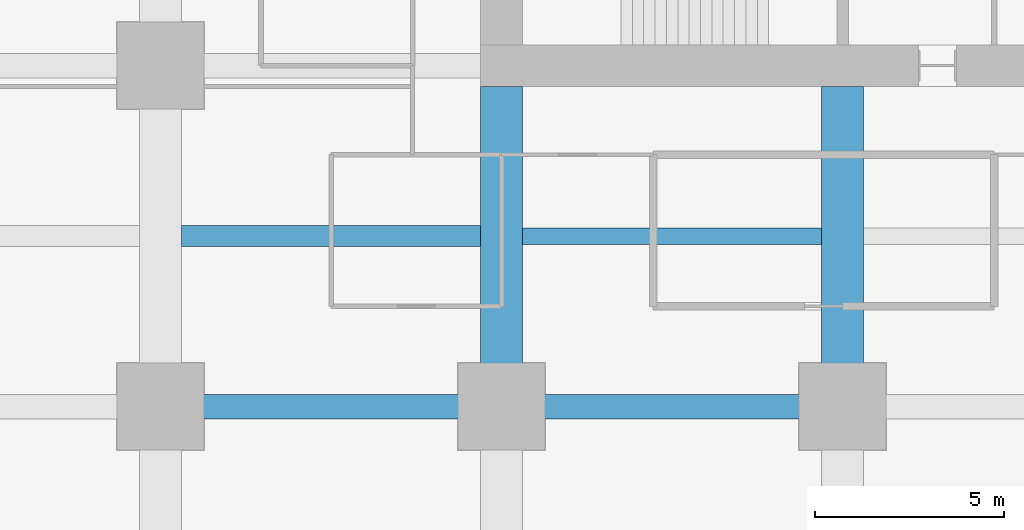
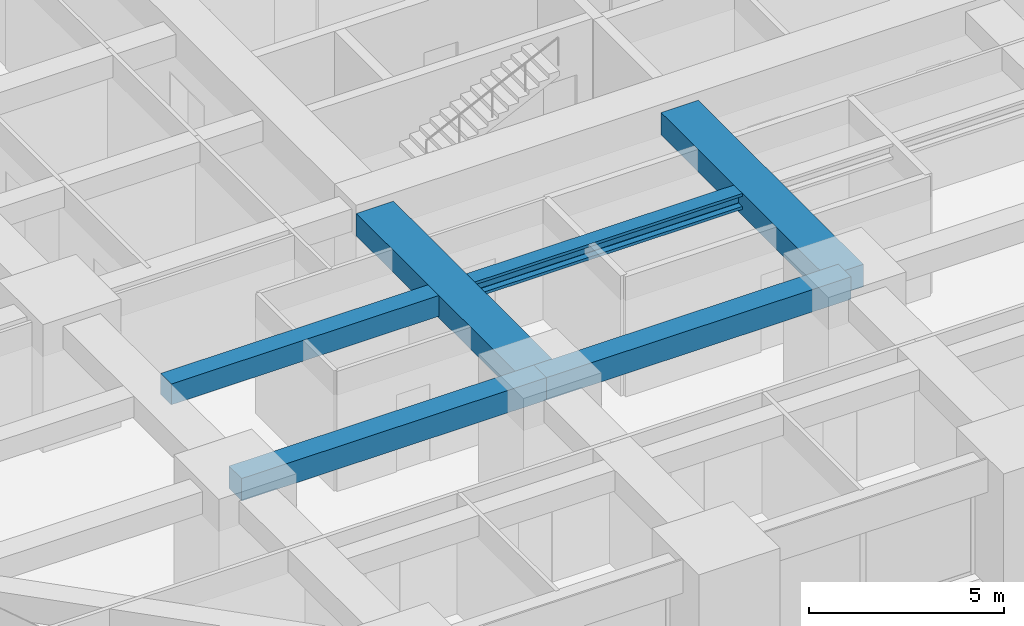
# One storey, part 6 of 39: 6 beams.
"""IFC4 building model written with IfcOpenShell, lengths in metres."""

from ifc_helpers import new_model, si_unit, direction, frame, origin, origin_2d, place, context, subcontext, project, spatial, rectangle, i_section, extrude, material, material_profile, profile_set, type_object, element, save


model = new_model("IFC4")

# Units and contexts
model_context = context("Model", 3, precision=1e-05, world=origin(), true_north=direction((0.0, 1.0)))
body_context = subcontext(model_context, "Body", "Model", "MODEL_VIEW")
ifc_project = project(units=[si_unit("LENGTHUNIT", "METRE"), si_unit("AREAUNIT", "SQUARE_METRE"), si_unit("VOLUMEUNIT", "CUBIC_METRE"), si_unit("PLANEANGLEUNIT", "RADIAN"), si_unit("MASSUNIT", "GRAM", prefix="KILO")], contexts=[model_context])

# Site, building, storey
site_placement = place(None, origin())
site = spatial("IfcSite", under=ifc_project, at=site_placement, CompositionType="ELEMENT")
building_placement = place(site_placement, origin())
building = spatial("IfcBuilding", under=site, at=building_placement, Name="Zorevar Civic Tower", CompositionType="ELEMENT")
storey_placement = place(building_placement, frame((0.0, 0.0, 19.800048828125)))
storey = spatial("IfcBuildingStorey", under=building, at=storey_placement, Name="L04", CompositionType="ELEMENT", Elevation=19.800048828125)

# Beams
ifc_material_1 = material(Name="Concrete C50/60", Category="concrete")
ifc_material_profile_1 = material_profile(ifc_material_1, rectangle(XDim=1.10009765625, YDim=0.699951171875, at=origin_2d()), Name="RC 1100x700")
ifc_profile_set_1 = profile_set([ifc_material_profile_1], Name="Concrete C50/60")
beam_type_1 = type_object("IfcBeamType", Name="Beam RC 1100x700", PredefinedType="BEAM", material=ifc_profile_set_1)
for number, where, z_axis, x_axis, name in (
    (1, (18.0, 9.0, 3.39990234375), (0.0, 1.0, 0.0), (-1.0, 0.0, 0.0), "Girder L05"),
    (2, (27.0, 9.0, 3.39990234375), (0.0, 1.0, 0.0), (-1.0, 0.0, 0.0), "Girder L05"),
):
    element("IfcBeam", number, at=place(storey_placement, frame(where, z_axis=z_axis, x_axis=x_axis)), inside=storey, type_object=beam_type_1, Name=name, PredefinedType="BEAM", context=body_context, shape_type="SweptSolid", body=[
        extrude(rectangle(XDim=1.10009765625, YDim=0.699951171875, at=origin_2d()), origin(), (0.0, 0.0, 1.0), 8.449951171875),
    ])
ifc_material_2 = material(Name="Concrete C50/60", Category="concrete")
ifc_material_profile_2 = material_profile(ifc_material_2, rectangle(XDim=0.550048828125, YDim=0.64990234375, at=origin_2d()), Name="RC 550x650")
ifc_profile_set_2 = profile_set([ifc_material_profile_2], Name="Concrete C50/60")
beam_type_2 = type_object("IfcBeamType", Name="Beam RC 550x650", PredefinedType="BEAM", material=ifc_profile_set_2)
beam_1_placement = place(storey_placement, frame((9.550048828125, 13.5, 3.425048828125), z_axis=(1.0, 0.0, 0.0), x_axis=(0.0, 1.0, 0.0)))
element("IfcBeam", 3, at=beam_1_placement, inside=storey, type_object=beam_type_2, Name="Secondary beam L05", PredefinedType="BEAM", context=body_context, shape_type="SweptSolid", body=[
    extrude(rectangle(XDim=0.550048828125, YDim=0.64990234375, at=origin_2d()), origin(), (0.0, 0.0, 1.0), 7.89990234375),
])
ifc_material_3 = material(Name="Concrete C50/60", Category="concrete")
ifc_material_profile_3 = material_profile(ifc_material_3, rectangle(XDim=0.64990234375, YDim=0.699951171875, at=origin_2d()), Name="RC 650x700")
ifc_profile_set_3 = profile_set([ifc_material_profile_3], Name="Concrete C50/60")
beam_type_3 = type_object("IfcBeamType", Name="Beam RC 650x700", PredefinedType="BEAM", material=ifc_profile_set_3)
for number, where, z_axis, x_axis, name in (
    (4, (9.0, 9.0, 3.39990234375), (1.0, 0.0, 0.0), (0.0, 1.0, 0.0), "Girder L05"),
    (5, (18.0, 9.0, 3.39990234375), (1.0, 0.0, 0.0), (0.0, 1.0, 0.0), "Girder L05"),
):
    element("IfcBeam", number, at=place(storey_placement, frame(where, z_axis=z_axis, x_axis=x_axis)), inside=storey, type_object=beam_type_3, Name=name, PredefinedType="BEAM", context=body_context, shape_type="SweptSolid", body=[
        extrude(rectangle(XDim=0.64990234375, YDim=0.699951171875, at=origin_2d()), origin(), (0.0, 0.0, 1.0), 9.0),
    ])
ifc_material_4 = material(Name="Steel S460M (HISTAR 460)", Category="steel")
ifc_material_profile_4 = material_profile(ifc_material_4, i_section(OverallWidth=0.431884765625, OverallDepth=0.498046875, WebThickness=0.0556640625, FlangeThickness=0.0888671875, FilletRadius=0.014892578125, at=origin_2d()), Name="HD 400x744")
ifc_profile_set_4 = profile_set([ifc_material_profile_4], Name="Steel S460M (HISTAR 460)")
beam_type_4 = type_object("IfcBeamType", Name="Core bay beam HD 400x744", PredefinedType="BEAM", material=ifc_profile_set_4)
beam_2_placement = place(storey_placement, frame((18.550048828125, 13.5, 3.5009765625), z_axis=(1.0, 0.0, 0.0), x_axis=(0.0, 1.0, 0.0)))
element("IfcBeam", 6, at=beam_2_placement, inside=storey, type_object=beam_type_4, Name="Secondary beam L05", PredefinedType="BEAM", context=body_context, shape_type="SweptSolid", body=[
    extrude(i_section(OverallWidth=0.431884765625, OverallDepth=0.498046875, WebThickness=0.0556640625, FlangeThickness=0.0888671875, FilletRadius=0.014892578125, at=origin_2d()), origin(), (0.0, 0.0, 1.0), 7.89990234375),
])

save(model, "model.ifc")
